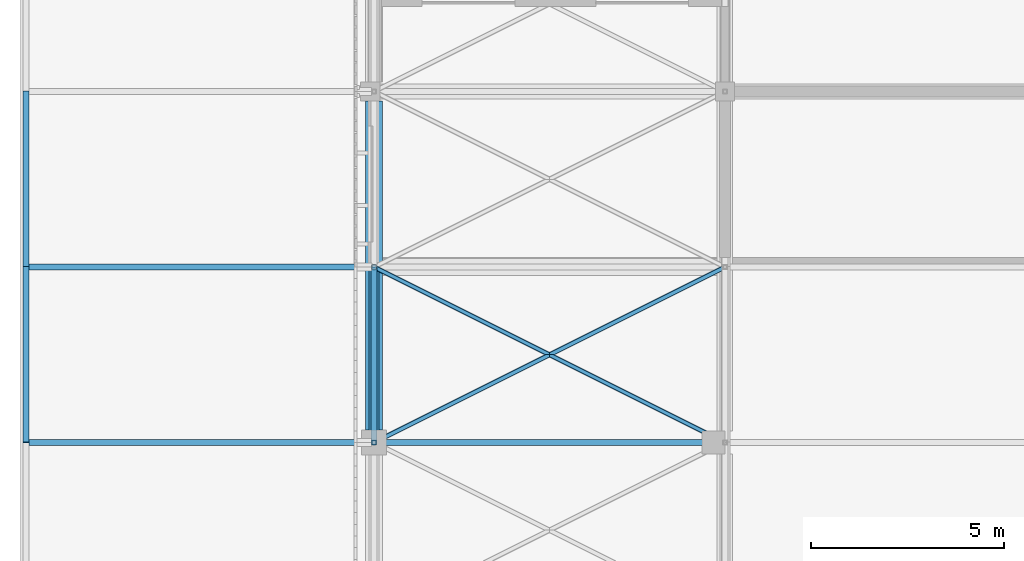
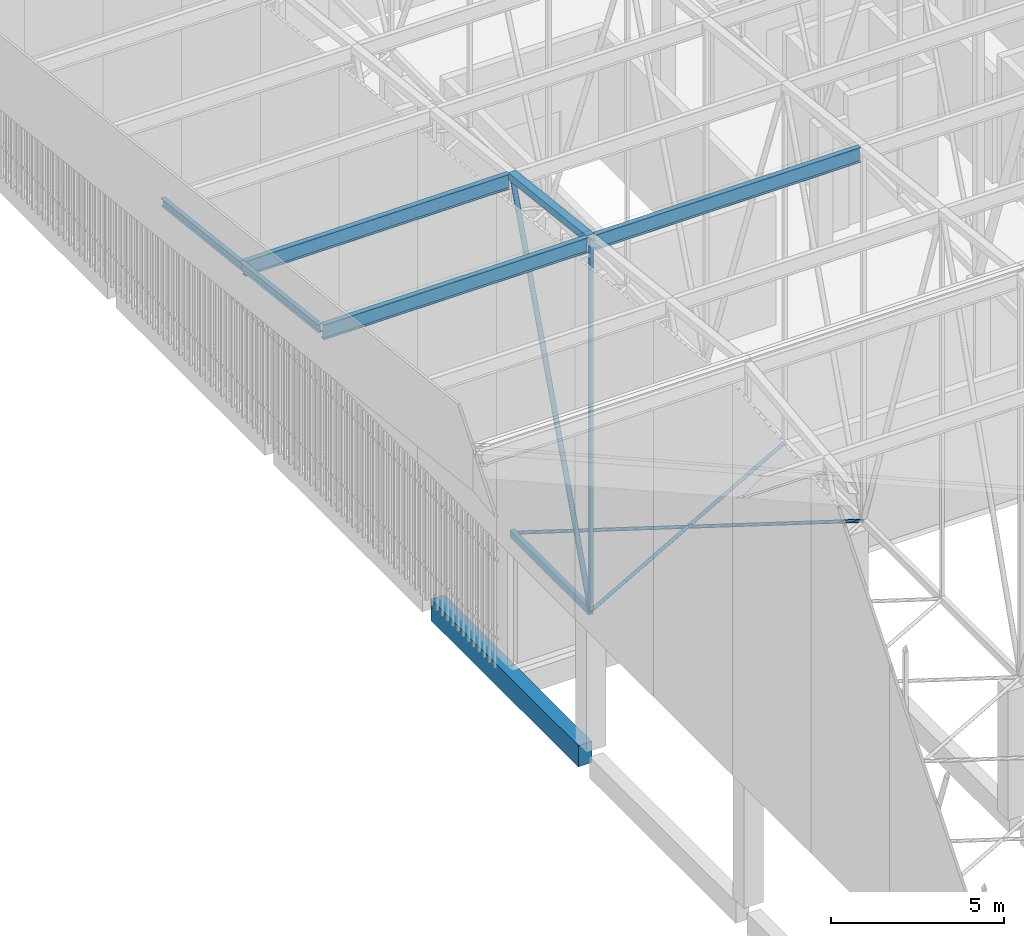
# One storey, part 169 of 500: 11 members, 1 beam.
"""IFC4 building model written with IfcOpenShell, lengths in metres."""

from ifc_helpers import new_model, si_unit, direction, frame, origin, origin_2d, place, context, subcontext, project, spatial, rectangle, hollow_rectangle, hollow_circle, i_section, extrude, material, material_profile, profile_set, type_object, element, save


model = new_model("IFC4")

# Units and contexts
model_context = context("Model", 3, precision=1e-05, world=origin(), true_north=direction((0.0, 1.0)))
body_context = subcontext(model_context, "Body", "Model", "MODEL_VIEW")
ifc_project = project(units=[si_unit("LENGTHUNIT", "METRE"), si_unit("AREAUNIT", "SQUARE_METRE"), si_unit("VOLUMEUNIT", "CUBIC_METRE"), si_unit("PLANEANGLEUNIT", "RADIAN"), si_unit("MASSUNIT", "GRAM", prefix="KILO")], contexts=[model_context])

# Site, building, storey
site_placement = place(None, origin())
site = spatial("IfcSite", under=ifc_project, at=site_placement, CompositionType="ELEMENT")
building_placement = place(site_placement, origin())
building = spatial("IfcBuilding", under=site, at=building_placement, Name="Shirokan Park Arena", CompositionType="ELEMENT")
storey_placement = place(building_placement, frame((0.0, 0.0, 29.1201171875)))
storey = spatial("IfcBuildingStorey", under=building, at=storey_placement, Name="L06", CompositionType="ELEMENT", Elevation=29.1201171875)

# Members
ifc_material_1 = material(Name="Steel ASTM A500 Grade C", Category="steel")
ifc_material_profile_1 = material_profile(ifc_material_1, hollow_rectangle(XDim=0.152099609375, YDim=0.25390625, WallThickness=0.009521484375, at=origin_2d()), Name="HSS254X152.4X9.5")
ifc_profile_set_1 = profile_set([ifc_material_profile_1], Name="Steel ASTM A500 Grade C")
member_type_1 = type_object("IfcMemberType", Name="Bottom chord HSS254X152.4X9.5", PredefinedType="CHORD", material=ifc_profile_set_1)
member_1_placement = place(storey_placement, frame((0.0, 63.699951171875, 4.677001953125), z_axis=(0.0, 1.0, 0.0), x_axis=(-1.0, 0.0, 0.0)))
element("IfcMember", 1, at=member_1_placement, inside=storey, type_object=member_type_1, Name="Truss T01 bottom chord 17", PredefinedType="CHORD", context=body_context, shape_type="SweptSolid", body=[
    extrude(hollow_rectangle(XDim=0.152099609375, YDim=0.25390625, WallThickness=0.009521484375, at=origin_2d()), origin(), (0.0, 0.0, 1.0), 4.550048828125),
])
ifc_material_profile_2 = material_profile(ifc_material_1, hollow_circle(Radius=0.056884765625, WallThickness=0.006103515625, at=origin_2d()), Name="HSS114.3X6")
ifc_profile_set_2 = profile_set([ifc_material_profile_2], Name="Steel ASTM A500 Grade C")
member_type_2 = type_object("IfcMemberType", Name="Plan bracing HSS114.3X6", PredefinedType="BRACE", material=ifc_profile_set_2)
for number, where, z_axis, x_axis, name in (
    (2, (0.0, 63.699951171875, 4.677001953125), (0.894427191, 0.4472135955, 0.0), (-0.4472135955, 0.894427191, 0.0), "Plan bracing bay 1 panel 17 A"),
    (3, (9.10009765625, 63.699951171875, 4.677001953125), (-0.894427191, 0.4472135955, 0.0), (-0.4472135955, -0.894427191, 0.0), "Plan bracing bay 1 panel 17 B"),
):
    element("IfcMember", number, at=place(storey_placement, frame(where, z_axis=z_axis, x_axis=x_axis)), inside=storey, type_object=member_type_2, Name=name, PredefinedType="BRACE", context=body_context, shape_type="SweptSolid", body=[
        extrude(hollow_circle(Radius=0.056884765625, WallThickness=0.006103515625, at=origin_2d()), origin(), (0.0, 0.0, 1.0), 10.17431640625),
    ])
ifc_material_2 = material(Name="Steel ASTM A992", Category="steel")
ifc_material_profile_3 = material_profile(ifc_material_2, i_section(OverallWidth=0.166015625, OverallDepth=0.528076171875, WebThickness=0.009765625, FlangeThickness=0.013671875, at=origin_2d()), Name="W530X74")
ifc_profile_set_3 = profile_set([ifc_material_profile_3], Name="Steel ASTM A992")
member_type_3 = type_object("IfcMemberType", Name="Purlin W530X74", PredefinedType="PURLIN", material=ifc_profile_set_3)
member_2_placement = place(storey_placement, frame((0.126953125, 63.699951171875, 17.685791015625), z_axis=(1.0, 0.0, 0.0), x_axis=(0.0, 1.0, 0.0)))
element("IfcMember", 4, at=member_2_placement, inside=storey, type_object=member_type_3, Name="Purlin 17 bay 1", PredefinedType="PURLIN", context=body_context, shape_type="SweptSolid", body=[
    extrude(i_section(OverallWidth=0.166015625, OverallDepth=0.528076171875, WebThickness=0.009765625, FlangeThickness=0.013671875, at=origin_2d()), origin(), (0.0, 0.0, 1.0), 8.845947265625),
])
for number, where, z_axis, x_axis, name in (
    (5, (-8.951904296875, 63.699951171875, 17.685791015625), (1.0, 0.0, 0.0), (0.0, 1.0, 0.0), "Eave purlin west 17"),
    (6, (-8.951904296875, 68.25, 17.165771484375), (1.0, 0.0, 0.0), (0.0, 1.0, 0.0), "Eave purlin west 18"),
):
    element("IfcMember", number, at=place(storey_placement, frame(where, z_axis=z_axis, x_axis=x_axis)), inside=storey, type_object=member_type_3, Name=name, PredefinedType="PURLIN", context=body_context, shape_type="SweptSolid", body=[
        extrude(i_section(OverallWidth=0.166015625, OverallDepth=0.528076171875, WebThickness=0.009765625, FlangeThickness=0.013671875, at=origin_2d()), origin(), (0.0, 0.0, 1.0), 8.824951171875),
    ])

# Beam
ifc_material_3 = material(Name="Concrete C35", Category="concrete")
ifc_material_profile_4 = material_profile(ifc_material_3, rectangle(XDim=0.449951171875, YDim=0.75, at=origin_2d()), Name="450x750")
ifc_profile_set_4 = profile_set([ifc_material_profile_4], Name="Concrete C35")
beam_type = type_object("IfcBeamType", Name="RC girder 450x750", PredefinedType="BEAM", material=ifc_profile_set_4)
beam_placement = place(storey_placement, frame((0.0, 64.025146484375, -0.5751953125), z_axis=(0.0, 1.0, 0.0), x_axis=(-1.0, 0.0, 0.0)))
element("IfcBeam", 7, at=beam_placement, inside=storey, type_object=beam_type, Name="Girder 1H-1J L06", PredefinedType="BEAM", context=body_context, shape_type="SweptSolid", body=[
    extrude(rectangle(XDim=0.449951171875, YDim=0.75, at=origin_2d()), origin(), (0.0, 0.0, 1.0), 8.524658203125),
])

# Members
ifc_material_profile_5 = material_profile(ifc_material_2, i_section(OverallWidth=0.14794921875, OverallDepth=0.26708984375, WebThickness=0.007568359375, FlangeThickness=0.012939453125, at=origin_2d()), Name="W250X44.8")
ifc_profile_set_5 = profile_set([ifc_material_profile_5], Name="Steel ASTM A992")
member_type_4 = type_object("IfcMemberType", Name="Roof edge beam W250X44.8", PredefinedType="USERDEFINED", material=ifc_profile_set_5)
for number, where, z_axis, x_axis, name in (
    (8, (-9.02587890625, 63.699951171875, 17.81640625), (0.0, 0.993532328996, -0.113549598152), (-1.0, 0.0, 0.0), "Roof edge beam W 17"),
    (9, (-9.02587890625, 68.25, 17.29638671875), (0.0, 0.993532328996, -0.113549598152), (-1.0, 0.0, 0.0), "Roof edge beam W 18"),
):
    element("IfcMember", number, at=place(storey_placement, frame(where, z_axis=z_axis, x_axis=x_axis)), inside=storey, type_object=member_type_4, Name=name, ObjectType="ROOF EDGE BEAM", PredefinedType="USERDEFINED", context=body_context, shape_type="SweptSolid", body=[
        extrude(i_section(OverallWidth=0.14794921875, OverallDepth=0.26708984375, WebThickness=0.007568359375, FlangeThickness=0.012939453125, at=origin_2d()), origin(), (0.0, 0.0, 1.0), 4.57958984375),
    ])
ifc_material_profile_6 = material_profile(ifc_material_1, hollow_rectangle(XDim=0.25390625, YDim=0.25390625, WallThickness=0.009521484375, at=origin_2d()), Name="HSS254X254X9.5")
ifc_profile_set_6 = profile_set([ifc_material_profile_6], Name="Steel ASTM A500 Grade C")
member_type_5 = type_object("IfcMemberType", Name="Top chord HSS254X254X9.5", PredefinedType="CHORD", material=ifc_profile_set_6)
member_3_placement = place(storey_placement, frame((0.0, 63.699951171875, 17.822998046875), z_axis=(0.0, 0.993532328996, -0.113549598152), x_axis=(-1.0, 0.0, 0.0)))
element("IfcMember", 10, at=member_3_placement, inside=storey, type_object=member_type_5, Name="Truss T01 top chord 17", PredefinedType="CHORD", context=body_context, shape_type="SweptSolid", body=[
    extrude(hollow_rectangle(XDim=0.25390625, YDim=0.25390625, WallThickness=0.009521484375, at=origin_2d()), origin(), (0.0, 0.0, 1.0), 4.57958984375),
])
ifc_material_profile_7 = material_profile(ifc_material_1, hollow_circle(Radius=0.083984375, WallThickness=0.009521484375, at=origin_2d()), Name="HSS168.3X9.5")
ifc_profile_set_7 = profile_set([ifc_material_profile_7], Name="Steel ASTM A500 Grade C")
member_type_6 = type_object("IfcMemberType", Name="Truss diagonal HSS168.3X9.5", PredefinedType="BRACE", material=ifc_profile_set_7)
member_4_placement = place(storey_placement, frame((0.0, 63.699951171875, 4.677001953125), z_axis=(0.0, 0.339029292845, 0.940775817394), x_axis=(-1.0, 0.0, 0.0)))
element("IfcMember", 11, at=member_4_placement, inside=storey, type_object=member_type_6, Name="Truss T01 diagonal 17", PredefinedType="BRACE", context=body_context, shape_type="SweptSolid", body=[
    extrude(hollow_circle(Radius=0.083984375, WallThickness=0.009521484375, at=origin_2d()), origin(), (0.0, 0.0, 1.0), 13.4208984375),
])
ifc_material_profile_8 = material_profile(ifc_material_1, hollow_rectangle(XDim=0.126953125, YDim=0.126953125, WallThickness=0.0126953125, at=origin_2d()), Name="HSS127X127X12.7")
ifc_profile_set_8 = profile_set([ifc_material_profile_8], Name="Steel ASTM A500 Grade C")
member_type_7 = type_object("IfcMemberType", Name="Truss post HSS127X127X12.7", PredefinedType="POST", material=ifc_profile_set_8)
member_5_placement = place(storey_placement, frame((0.0, 63.699951171875, 4.677001953125), z_axis=(0.0, 0.0, 1.0), x_axis=(1.0, 0.0, 0.0)))
element("IfcMember", 12, at=member_5_placement, inside=storey, type_object=member_type_7, Name="Truss T01 post 17", PredefinedType="POST", context=body_context, shape_type="SweptSolid", body=[
    extrude(hollow_rectangle(XDim=0.126953125, YDim=0.126953125, WallThickness=0.0126953125, at=origin_2d()), origin(), (0.0, 0.0, 1.0), 13.14599609375),
])

save(model, "model.ifc")
